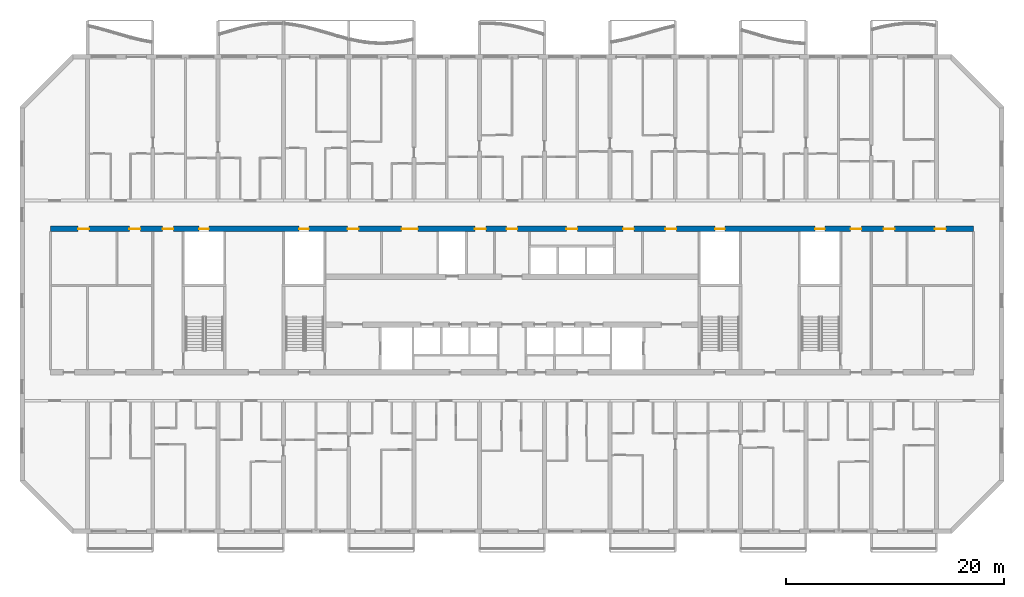
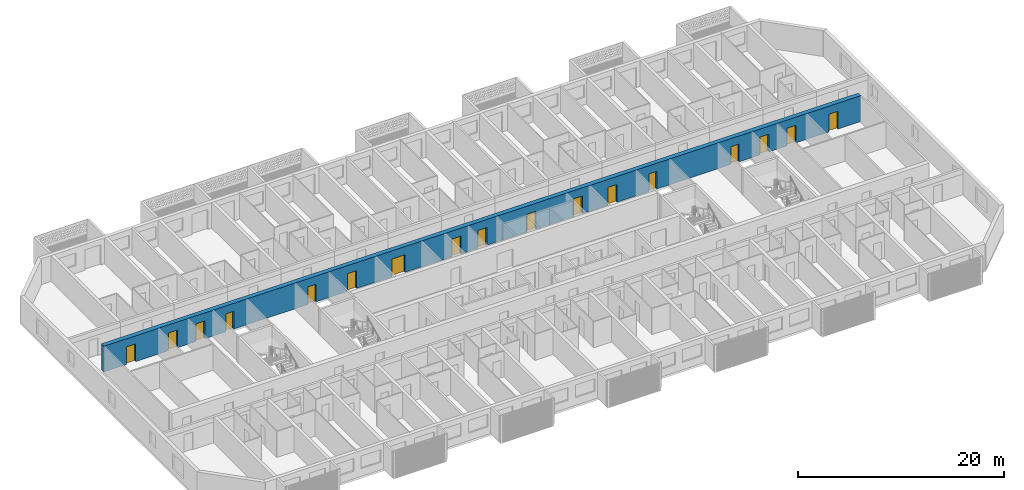
# One storey, part 8 of 31: 17 doors, 1 wall, 17 openings.
"""IFC4 building model written with IfcOpenShell, lengths in metres."""

from ifc_helpers import new_model, si_unit, direction, frame, frame_2d, origin, place, context, subcontext, project, spatial, rectangle, extrude, material, layer, layer_set, type_object, element, fill, save


model = new_model("IFC4")

# Units and contexts
model_context = context("Model", 3, precision=1e-05, world=origin(), true_north=direction((0.0, 1.0)))
body_context = subcontext(model_context, "Body", "Model", "MODEL_VIEW")
ifc_project = project(units=[si_unit("LENGTHUNIT", "METRE"), si_unit("AREAUNIT", "SQUARE_METRE"), si_unit("VOLUMEUNIT", "CUBIC_METRE"), si_unit("PLANEANGLEUNIT", "RADIAN"), si_unit("MASSUNIT", "GRAM", prefix="KILO")], contexts=[model_context])

# Site, building, storey
site_placement = place(None, origin())
site = spatial("IfcSite", under=ifc_project, at=site_placement, CompositionType="ELEMENT")
building_placement = place(site_placement, origin())
building = spatial("IfcBuilding", under=site, at=building_placement, Name="Poui Terraces", CompositionType="ELEMENT")
storey_placement = place(building_placement, frame((0.0, 0.0, 82.800048828125)))
storey = spatial("IfcBuildingStorey", under=building, at=storey_placement, Name="L22", CompositionType="ELEMENT", Elevation=82.800048828125)

# Wall, openings, doors
ifc_material_1 = material(Name="Concrete 65 MPa", Category="concrete")
ifc_layer = layer(ifc_material_1, 0.5)
ifc_layer_set = layer_set([ifc_layer], Name="Concrete 65 MPa")
wall_type = type_object("IfcWallType", Name="SPINE WALL 500 65 MPA", PredefinedType="SOLIDWALL", material=ifc_layer_set)
wall_placement = place(storey_placement, frame((8.60009765625, 27.800048828125, 0.0), z_axis=(0.0, 0.0, 1.0), x_axis=(1.0, 0.0, 0.0)))
wall = element("IfcWall", 1, at=wall_placement, inside=storey, type_object=wall_type, Name="SPINE WALL", PredefinedType="SOLIDWALL", context=body_context, shape_type="SweptSolid", body=[
    extrude(rectangle(XDim=84.7998046875, YDim=0.5, at=frame_2d((42.39990234375, 0.0))), origin(), (0.0, 0.0, 1.0), 3.06005859375),
])
opening_1_placement = place(wall_placement, frame((2.550048828125, 0.0, 0.0)))
opening_1 = element("IfcOpeningElement", 2, at=opening_1_placement, cuts=wall, Name="Opening FD60", PredefinedType="OPENING", context=body_context, shape_type="SweptSolid", body=[
    extrude(rectangle(XDim=1.0, YDim=2.10009765625, at=frame_2d((0.5, 1.050048828125))), frame((0.0, 0.260009765625, 0.0), z_axis=(0.0, -1.0, 0.0), x_axis=(1.0, 0.0, 0.0)), (0.0, 0.0, 1.0), 0.52001953125),
])
opening_2_placement = place(wall_placement, frame((7.25, 0.0, 0.0)))
opening_2 = element("IfcOpeningElement", 3, at=opening_2_placement, cuts=wall, Name="Opening FD60", PredefinedType="OPENING", context=body_context, shape_type="SweptSolid", body=[
    extrude(rectangle(XDim=1.0, YDim=2.10009765625, at=frame_2d((0.5, 1.050048828125))), frame((0.0, 0.260009765625, 0.0), z_axis=(0.0, -1.0, 0.0), x_axis=(1.0, 0.0, 0.0)), (0.0, 0.0, 1.0), 0.52001953125),
])
opening_3_placement = place(wall_placement, frame((10.300048828125, 0.0, 0.0)))
opening_3 = element("IfcOpeningElement", 4, at=opening_3_placement, cuts=wall, Name="Opening FDL", PredefinedType="OPENING", context=body_context, shape_type="SweptSolid", body=[
    extrude(rectangle(XDim=1.0, YDim=2.10009765625, at=frame_2d((0.5, 1.050048828125))), frame((0.0, 0.260009765625, 0.0), z_axis=(0.0, -1.0, 0.0), x_axis=(1.0, 0.0, 0.0)), (0.0, 0.0, 1.0), 0.52001953125),
])
opening_4_placement = place(wall_placement, frame((13.64990234375, 0.0, 0.0)))
opening_4 = element("IfcOpeningElement", 5, at=opening_4_placement, cuts=wall, Name="Opening FDR", PredefinedType="OPENING", context=body_context, shape_type="SweptSolid", body=[
    extrude(rectangle(XDim=0.89990234375, YDim=2.10009765625, at=frame_2d((0.449951171875, 1.050048828125))), frame((0.0, 0.260009765625, 0.0), z_axis=(0.0, -1.0, 0.0), x_axis=(1.0, 0.0, 0.0)), (0.0, 0.0, 1.0), 0.52001953125),
])
opening_5_placement = place(wall_placement, frame((22.85009765625, 0.0, 0.0)))
opening_5 = element("IfcOpeningElement", 6, at=opening_5_placement, cuts=wall, Name="Opening FDR", PredefinedType="OPENING", context=body_context, shape_type="SweptSolid", body=[
    extrude(rectangle(XDim=0.89990234375, YDim=2.10009765625, at=frame_2d((0.449951171875, 1.050048828125))), frame((0.0, 0.260009765625, 0.0), z_axis=(0.0, -1.0, 0.0), x_axis=(1.0, 0.0, 0.0)), (0.0, 0.0, 1.0), 0.52001953125),
])
opening_6_placement = place(wall_placement, frame((27.300048828125, 0.0, 0.0)))
opening_6 = element("IfcOpeningElement", 7, at=opening_6_placement, cuts=wall, Name="Opening FD60", PredefinedType="OPENING", context=body_context, shape_type="SweptSolid", body=[
    extrude(rectangle(XDim=1.0, YDim=2.10009765625, at=frame_2d((0.5, 1.050048828125))), frame((0.0, 0.260009765625, 0.0), z_axis=(0.0, -1.0, 0.0), x_axis=(1.0, 0.0, 0.0)), (0.0, 0.0, 1.0), 0.52001953125),
])
opening_7_placement = place(wall_placement, frame((32.25, 0.0, 0.0)))
opening_7 = element("IfcOpeningElement", 8, at=opening_7_placement, cuts=wall, Name="Opening FDP", PredefinedType="OPENING", context=body_context, shape_type="SweptSolid", body=[
    extrude(rectangle(XDim=1.5, YDim=2.10009765625, at=frame_2d((0.75, 1.050048828125))), frame((0.0, 0.260009765625, 0.0), z_axis=(0.0, -1.0, 0.0), x_axis=(1.0, 0.0, 0.0)), (0.0, 0.0, 1.0), 0.52001953125),
])
opening_8_placement = place(wall_placement, frame((39.0, 0.0, 0.0)))
opening_8 = element("IfcOpeningElement", 9, at=opening_8_placement, cuts=wall, Name="Opening FD60", PredefinedType="OPENING", context=body_context, shape_type="SweptSolid", body=[
    extrude(rectangle(XDim=1.0, YDim=2.10009765625, at=frame_2d((0.5, 1.050048828125))), frame((0.0, 0.260009765625, 0.0), z_axis=(0.0, -1.0, 0.0), x_axis=(1.0, 0.0, 0.0)), (0.0, 0.0, 1.0), 0.52001953125),
])
opening_9_placement = place(wall_placement, frame((41.89990234375, 0.0, 0.0)))
opening_9 = element("IfcOpeningElement", 10, at=opening_9_placement, cuts=wall, Name="Opening FDL", PredefinedType="OPENING", context=body_context, shape_type="SweptSolid", body=[
    extrude(rectangle(XDim=1.0, YDim=2.10009765625, at=frame_2d((0.5, 1.050048828125))), frame((0.0, 0.260009765625, 0.0), z_axis=(0.0, -1.0, 0.0), x_axis=(1.0, 0.0, 0.0)), (0.0, 0.0, 1.0), 0.52001953125),
])
opening_10_placement = place(wall_placement, frame((47.39990234375, 0.0, 0.0)))
opening_10 = element("IfcOpeningElement", 11, at=opening_10_placement, cuts=wall, Name="Opening FD60", PredefinedType="OPENING", context=body_context, shape_type="SweptSolid", body=[
    extrude(rectangle(XDim=1.0, YDim=2.10009765625, at=frame_2d((0.5, 1.050048828125))), frame((0.0, 0.260009765625, 0.0), z_axis=(0.0, -1.0, 0.0), x_axis=(1.0, 0.0, 0.0)), (0.0, 0.0, 1.0), 0.52001953125),
])
opening_11_placement = place(wall_placement, frame((52.60009765625, 0.0, 0.0)))
opening_11 = element("IfcOpeningElement", 12, at=opening_11_placement, cuts=wall, Name="Opening FD60", PredefinedType="OPENING", context=body_context, shape_type="SweptSolid", body=[
    extrude(rectangle(XDim=1.0, YDim=2.10009765625, at=frame_2d((0.5, 1.050048828125))), frame((0.0, 0.260009765625, 0.0), z_axis=(0.0, -1.0, 0.0), x_axis=(1.0, 0.0, 0.0)), (0.0, 0.0, 1.0), 0.52001953125),
])
opening_12_placement = place(wall_placement, frame((56.5, 0.0, 0.0)))
opening_12 = element("IfcOpeningElement", 13, at=opening_12_placement, cuts=wall, Name="Opening FD60", PredefinedType="OPENING", context=body_context, shape_type="SweptSolid", body=[
    extrude(rectangle(XDim=1.0, YDim=2.10009765625, at=frame_2d((0.5, 1.050048828125))), frame((0.0, 0.260009765625, 0.0), z_axis=(0.0, -1.0, 0.0), x_axis=(1.0, 0.0, 0.0)), (0.0, 0.0, 1.0), 0.52001953125),
])
opening_13_placement = place(wall_placement, frame((61.050048828125, 0.0, 0.0)))
opening_13 = element("IfcOpeningElement", 14, at=opening_13_placement, cuts=wall, Name="Opening FDR", PredefinedType="OPENING", context=body_context, shape_type="SweptSolid", body=[
    extrude(rectangle(XDim=0.89990234375, YDim=2.10009765625, at=frame_2d((0.449951171875, 1.050048828125))), frame((0.0, 0.260009765625, 0.0), z_axis=(0.0, -1.0, 0.0), x_axis=(1.0, 0.0, 0.0)), (0.0, 0.0, 1.0), 0.52001953125),
])
opening_14_placement = place(wall_placement, frame((70.25, 0.0, 0.0)))
opening_14 = element("IfcOpeningElement", 15, at=opening_14_placement, cuts=wall, Name="Opening FDR", PredefinedType="OPENING", context=body_context, shape_type="SweptSolid", body=[
    extrude(rectangle(XDim=0.89990234375, YDim=2.10009765625, at=frame_2d((0.449951171875, 1.050048828125))), frame((0.0, 0.260009765625, 0.0), z_axis=(0.0, -1.0, 0.0), x_axis=(1.0, 0.0, 0.0)), (0.0, 0.0, 1.0), 0.52001953125),
])
opening_15_placement = place(wall_placement, frame((73.5, 0.0, 0.0)))
opening_15 = element("IfcOpeningElement", 16, at=opening_15_placement, cuts=wall, Name="Opening FDL", PredefinedType="OPENING", context=body_context, shape_type="SweptSolid", body=[
    extrude(rectangle(XDim=1.0, YDim=2.10009765625, at=frame_2d((0.5, 1.050048828125))), frame((0.0, 0.260009765625, 0.0), z_axis=(0.0, -1.0, 0.0), x_axis=(1.0, 0.0, 0.0)), (0.0, 0.0, 1.0), 0.52001953125),
])
opening_16_placement = place(wall_placement, frame((76.550048828125, 0.0, 0.0)))
opening_16 = element("IfcOpeningElement", 17, at=opening_16_placement, cuts=wall, Name="Opening FD60", PredefinedType="OPENING", context=body_context, shape_type="SweptSolid", body=[
    extrude(rectangle(XDim=1.0, YDim=2.10009765625, at=frame_2d((0.5, 1.050048828125))), frame((0.0, 0.260009765625, 0.0), z_axis=(0.0, -1.0, 0.0), x_axis=(1.0, 0.0, 0.0)), (0.0, 0.0, 1.0), 0.52001953125),
])
opening_17_placement = place(wall_placement, frame((81.25, 0.0, 0.0)))
opening_17 = element("IfcOpeningElement", 18, at=opening_17_placement, cuts=wall, Name="Opening FD60", PredefinedType="OPENING", context=body_context, shape_type="SweptSolid", body=[
    extrude(rectangle(XDim=1.0, YDim=2.10009765625, at=frame_2d((0.5, 1.050048828125))), frame((0.0, 0.260009765625, 0.0), z_axis=(0.0, -1.0, 0.0), x_axis=(1.0, 0.0, 0.0)), (0.0, 0.0, 1.0), 0.52001953125),
])
ifc_material_2 = material(Name="Steel fire door", Category="steel")
door_type_1 = type_object("IfcDoorType", Name="LOBBY FIRE DOOR 1000 X 2100", OperationType="NOTDEFINED", PredefinedType="DOOR", material=ifc_material_2)
door_1_placement = place(opening_3_placement, origin())
door_1 = element("IfcDoor", 19, at=door_1_placement, inside=storey, type_object=door_type_1, Name="LOBBY FIRE DOOR 003", OperationType="SINGLE_SWING_LEFT", OverallHeight=2.10009765625, OverallWidth=1.0, PredefinedType="DOOR", context=body_context, shape_type="SweptSolid", body=[
    extrude(rectangle(XDim=1.0, YDim=2.10009765625, at=frame_2d((0.5, 1.050048828125))), frame((0.0, 0.02490234375, 0.0), z_axis=(0.0, -1.0, 0.0), x_axis=(1.0, 0.0, 0.0)), (0.0, 0.0, 1.0), 0.050048828125),
])
fill(opening_3, door_1)
door_2_placement = place(opening_9_placement, origin())
door_2 = element("IfcDoor", 20, at=door_2_placement, inside=storey, type_object=door_type_1, Name="LOBBY FIRE DOOR 009", OperationType="SINGLE_SWING_RIGHT", OverallHeight=2.10009765625, OverallWidth=1.0, PredefinedType="DOOR", context=body_context, shape_type="SweptSolid", body=[
    extrude(rectangle(XDim=1.0, YDim=2.10009765625, at=frame_2d((0.5, 1.050048828125))), frame((0.0, 0.02490234375, 0.0), z_axis=(0.0, -1.0, 0.0), x_axis=(1.0, 0.0, 0.0)), (0.0, 0.0, 1.0), 0.050048828125),
])
fill(opening_9, door_2)
door_3_placement = place(opening_15_placement, origin())
door_3 = element("IfcDoor", 21, at=door_3_placement, inside=storey, type_object=door_type_1, Name="LOBBY FIRE DOOR 015", OperationType="SINGLE_SWING_RIGHT", OverallHeight=2.10009765625, OverallWidth=1.0, PredefinedType="DOOR", context=body_context, shape_type="SweptSolid", body=[
    extrude(rectangle(XDim=1.0, YDim=2.10009765625, at=frame_2d((0.5, 1.050048828125))), frame((0.0, 0.02490234375, 0.0), z_axis=(0.0, -1.0, 0.0), x_axis=(1.0, 0.0, 0.0)), (0.0, 0.0, 1.0), 0.050048828125),
])
fill(opening_15, door_3)
door_type_2 = type_object("IfcDoorType", Name="PLANT ROOM DOOR PAIR 1500 X 2100", OperationType="DOUBLE_DOOR_SINGLE_SWING", PredefinedType="DOOR", material=ifc_material_2)
door_4_placement = place(opening_7_placement, origin())
door_4 = element("IfcDoor", 22, at=door_4_placement, inside=storey, type_object=door_type_2, Name="PLANT ROOM DOOR PAIR 007", OperationType="DOUBLE_DOOR_SINGLE_SWING", OverallHeight=2.10009765625, OverallWidth=1.5, PredefinedType="DOOR", context=body_context, shape_type="SweptSolid", body=[
    extrude(rectangle(XDim=1.5, YDim=2.10009765625, at=frame_2d((0.75, 1.050048828125))), frame((0.0, 0.02490234375, 0.0), z_axis=(0.0, -1.0, 0.0), x_axis=(1.0, 0.0, 0.0)), (0.0, 0.0, 1.0), 0.050048828125),
])
fill(opening_7, door_4)
door_type_3 = type_object("IfcDoorType", Name="RISER CUPBOARD DOOR 900 X 2100", OperationType="NOTDEFINED", PredefinedType="DOOR", material=ifc_material_2)
door_5_placement = place(opening_4_placement, origin())
door_5 = element("IfcDoor", 23, at=door_5_placement, inside=storey, type_object=door_type_3, Name="RISER CUPBOARD DOOR 004", OperationType="SINGLE_SWING_LEFT", OverallHeight=2.10009765625, OverallWidth=0.89990234375, PredefinedType="DOOR", context=body_context, shape_type="SweptSolid", body=[
    extrude(rectangle(XDim=0.89990234375, YDim=2.10009765625, at=frame_2d((0.449951171875, 1.050048828125))), frame((0.0, 0.02490234375, 0.0), z_axis=(0.0, -1.0, 0.0), x_axis=(1.0, 0.0, 0.0)), (0.0, 0.0, 1.0), 0.050048828125),
])
fill(opening_4, door_5)
door_6_placement = place(opening_5_placement, origin())
door_6 = element("IfcDoor", 24, at=door_6_placement, inside=storey, type_object=door_type_3, Name="RISER CUPBOARD DOOR 005", OperationType="SINGLE_SWING_LEFT", OverallHeight=2.10009765625, OverallWidth=0.89990234375, PredefinedType="DOOR", context=body_context, shape_type="SweptSolid", body=[
    extrude(rectangle(XDim=0.89990234375, YDim=2.10009765625, at=frame_2d((0.449951171875, 1.050048828125))), frame((0.0, 0.02490234375, 0.0), z_axis=(0.0, -1.0, 0.0), x_axis=(1.0, 0.0, 0.0)), (0.0, 0.0, 1.0), 0.050048828125),
])
fill(opening_5, door_6)
door_7_placement = place(opening_13_placement, origin())
door_7 = element("IfcDoor", 25, at=door_7_placement, inside=storey, type_object=door_type_3, Name="RISER CUPBOARD DOOR 013", OperationType="SINGLE_SWING_RIGHT", OverallHeight=2.10009765625, OverallWidth=0.89990234375, PredefinedType="DOOR", context=body_context, shape_type="SweptSolid", body=[
    extrude(rectangle(XDim=0.89990234375, YDim=2.10009765625, at=frame_2d((0.449951171875, 1.050048828125))), frame((0.0, 0.02490234375, 0.0), z_axis=(0.0, -1.0, 0.0), x_axis=(1.0, 0.0, 0.0)), (0.0, 0.0, 1.0), 0.050048828125),
])
fill(opening_13, door_7)
door_8_placement = place(opening_14_placement, origin())
door_8 = element("IfcDoor", 26, at=door_8_placement, inside=storey, type_object=door_type_3, Name="RISER CUPBOARD DOOR 014", OperationType="SINGLE_SWING_RIGHT", OverallHeight=2.10009765625, OverallWidth=0.89990234375, PredefinedType="DOOR", context=body_context, shape_type="SweptSolid", body=[
    extrude(rectangle(XDim=0.89990234375, YDim=2.10009765625, at=frame_2d((0.449951171875, 1.050048828125))), frame((0.0, 0.02490234375, 0.0), z_axis=(0.0, -1.0, 0.0), x_axis=(1.0, 0.0, 0.0)), (0.0, 0.0, 1.0), 0.050048828125),
])
fill(opening_14, door_8)
door_type_4 = type_object("IfcDoorType", Name="SERVICE ROOM FIRE DOOR 1000 X 2100", OperationType="NOTDEFINED", PredefinedType="DOOR", material=ifc_material_2)
door_9_placement = place(opening_1_placement, origin())
door_9 = element("IfcDoor", 27, at=door_9_placement, inside=storey, type_object=door_type_4, Name="SERVICE ROOM FIRE DOOR 001", OperationType="SINGLE_SWING_RIGHT", OverallHeight=2.10009765625, OverallWidth=1.0, PredefinedType="DOOR", context=body_context, shape_type="SweptSolid", body=[
    extrude(rectangle(XDim=1.0, YDim=2.10009765625, at=frame_2d((0.5, 1.050048828125))), frame((0.0, 0.02490234375, 0.0), z_axis=(0.0, -1.0, 0.0), x_axis=(1.0, 0.0, 0.0)), (0.0, 0.0, 1.0), 0.050048828125),
])
fill(opening_1, door_9)
door_10_placement = place(opening_2_placement, origin())
door_10 = element("IfcDoor", 28, at=door_10_placement, inside=storey, type_object=door_type_4, Name="SERVICE ROOM FIRE DOOR 002", OperationType="SINGLE_SWING_LEFT", OverallHeight=2.10009765625, OverallWidth=1.0, PredefinedType="DOOR", context=body_context, shape_type="SweptSolid", body=[
    extrude(rectangle(XDim=1.0, YDim=2.10009765625, at=frame_2d((0.5, 1.050048828125))), frame((0.0, 0.02490234375, 0.0), z_axis=(0.0, -1.0, 0.0), x_axis=(1.0, 0.0, 0.0)), (0.0, 0.0, 1.0), 0.050048828125),
])
fill(opening_2, door_10)
door_11_placement = place(opening_6_placement, origin())
door_11 = element("IfcDoor", 29, at=door_11_placement, inside=storey, type_object=door_type_4, Name="SERVICE ROOM FIRE DOOR 006", OperationType="SINGLE_SWING_RIGHT", OverallHeight=2.10009765625, OverallWidth=1.0, PredefinedType="DOOR", context=body_context, shape_type="SweptSolid", body=[
    extrude(rectangle(XDim=1.0, YDim=2.10009765625, at=frame_2d((0.5, 1.050048828125))), frame((0.0, 0.02490234375, 0.0), z_axis=(0.0, -1.0, 0.0), x_axis=(1.0, 0.0, 0.0)), (0.0, 0.0, 1.0), 0.050048828125),
])
fill(opening_6, door_11)
door_12_placement = place(opening_8_placement, origin())
door_12 = element("IfcDoor", 30, at=door_12_placement, inside=storey, type_object=door_type_4, Name="SERVICE ROOM FIRE DOOR 008", OperationType="SINGLE_SWING_RIGHT", OverallHeight=2.10009765625, OverallWidth=1.0, PredefinedType="DOOR", context=body_context, shape_type="SweptSolid", body=[
    extrude(rectangle(XDim=1.0, YDim=2.10009765625, at=frame_2d((0.5, 1.050048828125))), frame((0.0, 0.02490234375, 0.0), z_axis=(0.0, -1.0, 0.0), x_axis=(1.0, 0.0, 0.0)), (0.0, 0.0, 1.0), 0.050048828125),
])
fill(opening_8, door_12)
door_13_placement = place(opening_10_placement, origin())
door_13 = element("IfcDoor", 31, at=door_13_placement, inside=storey, type_object=door_type_4, Name="SERVICE ROOM FIRE DOOR 010", OperationType="SINGLE_SWING_LEFT", OverallHeight=2.10009765625, OverallWidth=1.0, PredefinedType="DOOR", context=body_context, shape_type="SweptSolid", body=[
    extrude(rectangle(XDim=1.0, YDim=2.10009765625, at=frame_2d((0.5, 1.050048828125))), frame((0.0, 0.02490234375, 0.0), z_axis=(0.0, -1.0, 0.0), x_axis=(1.0, 0.0, 0.0)), (0.0, 0.0, 1.0), 0.050048828125),
])
fill(opening_10, door_13)
door_14_placement = place(opening_11_placement, origin())
door_14 = element("IfcDoor", 32, at=door_14_placement, inside=storey, type_object=door_type_4, Name="SERVICE ROOM FIRE DOOR 011", OperationType="SINGLE_SWING_RIGHT", OverallHeight=2.10009765625, OverallWidth=1.0, PredefinedType="DOOR", context=body_context, shape_type="SweptSolid", body=[
    extrude(rectangle(XDim=1.0, YDim=2.10009765625, at=frame_2d((0.5, 1.050048828125))), frame((0.0, 0.02490234375, 0.0), z_axis=(0.0, -1.0, 0.0), x_axis=(1.0, 0.0, 0.0)), (0.0, 0.0, 1.0), 0.050048828125),
])
fill(opening_11, door_14)
door_15_placement = place(opening_12_placement, origin())
door_15 = element("IfcDoor", 33, at=door_15_placement, inside=storey, type_object=door_type_4, Name="SERVICE ROOM FIRE DOOR 012", OperationType="SINGLE_SWING_LEFT", OverallHeight=2.10009765625, OverallWidth=1.0, PredefinedType="DOOR", context=body_context, shape_type="SweptSolid", body=[
    extrude(rectangle(XDim=1.0, YDim=2.10009765625, at=frame_2d((0.5, 1.050048828125))), frame((0.0, 0.02490234375, 0.0), z_axis=(0.0, -1.0, 0.0), x_axis=(1.0, 0.0, 0.0)), (0.0, 0.0, 1.0), 0.050048828125),
])
fill(opening_12, door_15)
door_16_placement = place(opening_16_placement, origin())
door_16 = element("IfcDoor", 34, at=door_16_placement, inside=storey, type_object=door_type_4, Name="SERVICE ROOM FIRE DOOR 016", OperationType="SINGLE_SWING_RIGHT", OverallHeight=2.10009765625, OverallWidth=1.0, PredefinedType="DOOR", context=body_context, shape_type="SweptSolid", body=[
    extrude(rectangle(XDim=1.0, YDim=2.10009765625, at=frame_2d((0.5, 1.050048828125))), frame((0.0, 0.02490234375, 0.0), z_axis=(0.0, -1.0, 0.0), x_axis=(1.0, 0.0, 0.0)), (0.0, 0.0, 1.0), 0.050048828125),
])
fill(opening_16, door_16)
door_17_placement = place(opening_17_placement, origin())
door_17 = element("IfcDoor", 35, at=door_17_placement, inside=storey, type_object=door_type_4, Name="SERVICE ROOM FIRE DOOR 017", OperationType="SINGLE_SWING_LEFT", OverallHeight=2.10009765625, OverallWidth=1.0, PredefinedType="DOOR", context=body_context, shape_type="SweptSolid", body=[
    extrude(rectangle(XDim=1.0, YDim=2.10009765625, at=frame_2d((0.5, 1.050048828125))), frame((0.0, 0.02490234375, 0.0), z_axis=(0.0, -1.0, 0.0), x_axis=(1.0, 0.0, 0.0)), (0.0, 0.0, 1.0), 0.050048828125),
])
fill(opening_17, door_17)

save(model, "model.ifc")
